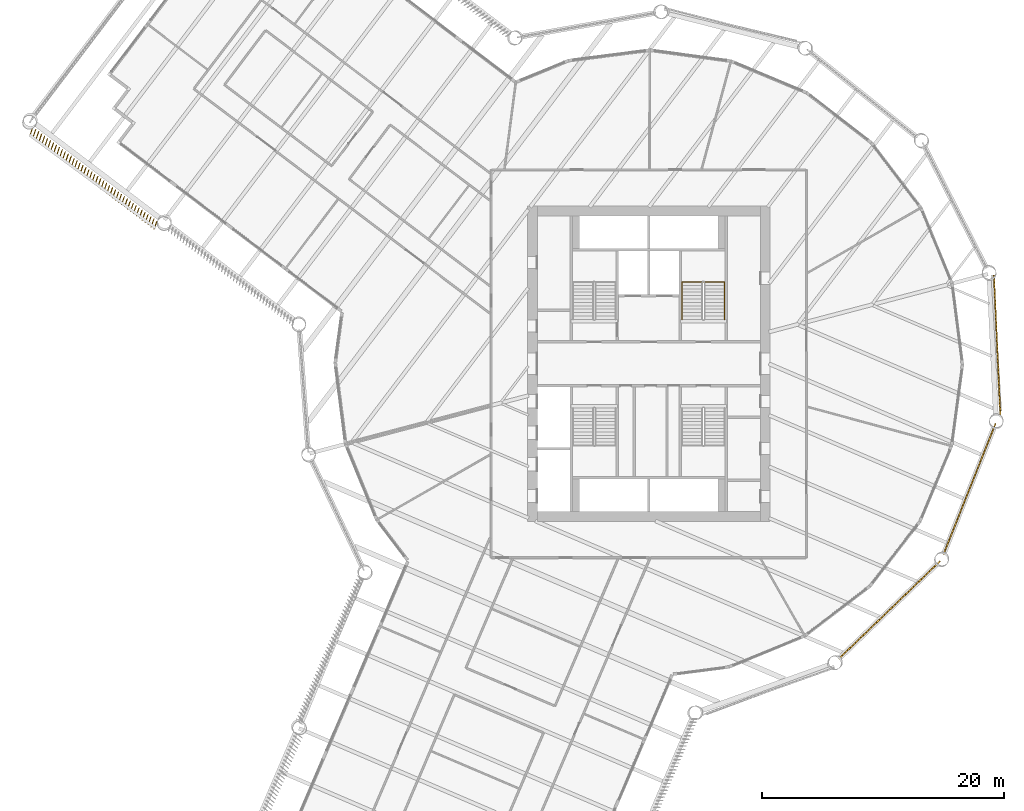
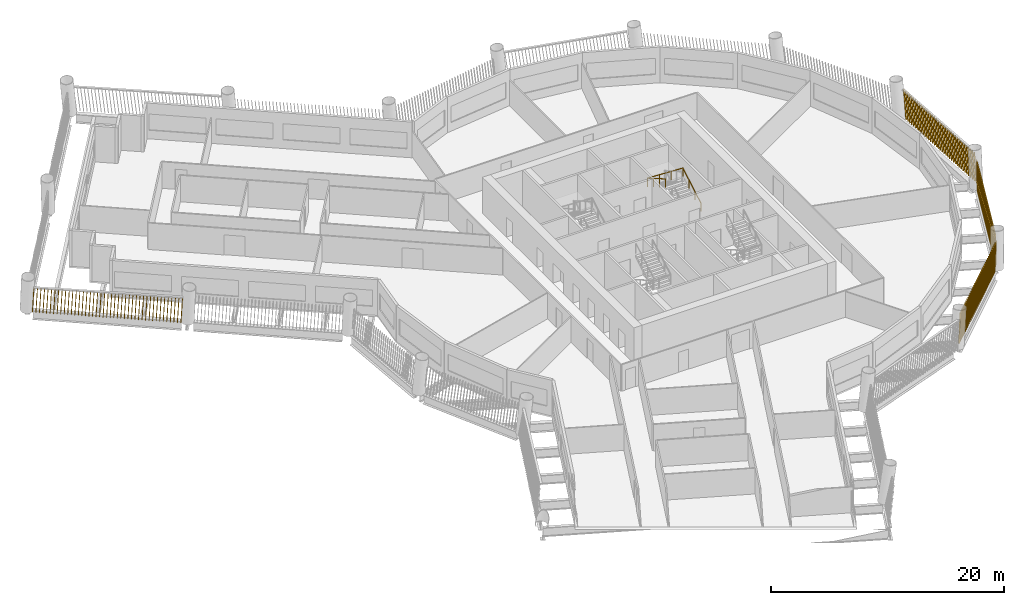
# One storey, part 13 of 16: 4 shading devices, 1 railing.
"""IFC4 building model written with IfcOpenShell, lengths in metres."""

from ifc_helpers import new_model, si_unit, direction, frame, frame_2d, origin, origin_2d, place, context, subcontext, project, spatial, rectangle, circle, composite_profile, extrude, material, type_object, element, save


model = new_model("IFC4")

# Units and contexts
model_context = context("Model", 3, precision=1e-05, world=origin(), true_north=direction((0.0, 1.0)))
body_context = subcontext(model_context, "Body", "Model", "MODEL_VIEW")
ifc_project = project(units=[si_unit("LENGTHUNIT", "METRE"), si_unit("AREAUNIT", "SQUARE_METRE"), si_unit("VOLUMEUNIT", "CUBIC_METRE"), si_unit("PLANEANGLEUNIT", "RADIAN"), si_unit("MASSUNIT", "GRAM", prefix="KILO")], contexts=[model_context])

# Site, building, storey
site_placement = place(None, origin())
site = spatial("IfcSite", under=ifc_project, at=site_placement, CompositionType="ELEMENT")
building_placement = place(site_placement, origin())
building = spatial("IfcBuilding", under=site, at=building_placement, Name="Tarsis Ring Headquarters", CompositionType="ELEMENT")
storey_placement = place(building_placement, frame((0.0, 0.0, 120.10009765625)))
storey = spatial("IfcBuildingStorey", under=building, at=storey_placement, Name="L27", CompositionType="ELEMENT", Elevation=120.10009765625)

# Railing
ifc_material_1 = material(Name="Steel S355", Category="steel")
railing_type = type_object("IfcRailingType", Name="Core stair handrail 900", PredefinedType="HANDRAIL", material=ifc_material_1)
railing_placement = place(storey_placement, frame((6.25, 3.659912109375, 0.162353515625)))
element("IfcRailing", 1, at=railing_placement, inside=storey, type_object=railing_type, Name="L27 ST2 stair handrail 1", PredefinedType="HANDRAIL", context=body_context, shape_type="SweptSolid", body=[
    extrude(circle(Radius=0.02392578125, at=origin_2d()), frame((0.0, 0.0, 0.8759765625), z_axis=(0.0, 0.864890721111, 0.501960198159), x_axis=(-1.0, 0.0, 0.0)), (0.0, 0.0, 1.0), 3.561279296875),
    extrude(circle(Radius=0.02392578125, at=origin_2d()), frame((0.0, 3.080078125, 2.66357421875), z_axis=(-0.998925869279, 0.0, 0.04633689335), x_axis=(0.0, -1.0, 0.0)), (0.0, 0.0, 1.0), 3.503662109375),
    extrude(circle(Radius=0.02392578125, at=origin_2d()), frame((-3.5, 3.080078125, 2.82568359375), z_axis=(0.0, -0.864890721111, 0.501960198159), x_axis=(1.0, 0.0, 0.0)), (0.0, 0.0, 1.0), 3.561279296875),
    extrude(circle(Radius=0.02099609375, at=origin_2d()), origin(), (0.0, 0.0, 1.0), 0.851806640625),
    extrude(circle(Radius=0.02099609375, at=origin_2d()), frame((0.0, 1.026611328125, 0.595947265625)), (0.0, 0.0, 1.0), 0.851806640625),
    extrude(circle(Radius=0.02099609375, at=origin_2d()), frame((0.0, 2.053466796875, 1.191650390625)), (0.0, 0.0, 1.0), 0.851806640625),
    extrude(circle(Radius=0.02099609375, at=origin_2d()), frame((0.0, 3.080078125, 1.78759765625)), (0.0, 0.0, 1.0), 0.851806640625),
    extrude(circle(Radius=0.02099609375, at=origin_2d()), frame((-1.166748046875, 3.080078125, 1.841796875)), (0.0, 0.0, 1.0), 0.851806640625),
    extrude(circle(Radius=0.02099609375, at=origin_2d()), frame((-2.333251953125, 3.080078125, 1.895751953125)), (0.0, 0.0, 1.0), 0.851806640625),
    extrude(circle(Radius=0.02099609375, at=origin_2d()), frame((-3.5, 3.080078125, 1.949951171875)), (0.0, 0.0, 1.0), 0.851806640625),
    extrude(circle(Radius=0.02099609375, at=origin_2d()), frame((-3.5, 2.053466796875, 2.5458984375)), (0.0, 0.0, 1.0), 0.851806640625),
    extrude(circle(Radius=0.02099609375, at=origin_2d()), frame((-3.5, 1.026611328125, 3.1416015625)), (0.0, 0.0, 1.0), 0.851806640625),
    extrude(circle(Radius=0.02099609375, at=origin_2d()), frame((-3.5, 0.0, 3.737548828125)), (0.0, 0.0, 1.0), 0.851806640625),
])

# Shading devices
ifc_material_2 = material(Name="Terracotta baguette", Category="masonry")
shading_device_type = type_object("IfcShadingDeviceType", Name="Terracotta baguette screen", PredefinedType="USERDEFINED", material=ifc_material_2)
shading_device_1_placement = place(storey_placement, frame((15.6640625, -24.343017578125, 0.0), z_axis=(0.0, 0.0, 1.0), x_axis=(0.719767340915, 0.694200885494, 0.0)))
element("IfcShadingDevice", 2, at=shading_device_1_placement, inside=storey, type_object=shading_device_type, Name="Baguette screen L27-08", ObjectType="Terracotta baguette screen", PredefinedType="USERDEFINED", context=body_context, shape_type="SweptSolid", body=[
    extrude(composite_profile([rectangle(XDim=0.06005859375, YDim=0.1201171875, at=frame_2d((0.030029296875, 0.0))), rectangle(XDim=0.06005859375, YDim=0.1201171875, at=frame_2d((0.33251953125, 0.0))), rectangle(XDim=0.06005859375, YDim=0.1201171875, at=frame_2d((0.634765625, 0.0))), rectangle(XDim=0.06005859375, YDim=0.1201171875, at=frame_2d((0.937255859375, 0.0))), rectangle(XDim=0.06005859375, YDim=0.1201171875, at=frame_2d((1.239501953125, 0.0))), rectangle(XDim=0.06005859375, YDim=0.1201171875, at=frame_2d((1.5419921875, 0.0))), rectangle(XDim=0.06005859375, YDim=0.1201171875, at=frame_2d((1.844482421875, 0.0))), rectangle(XDim=0.06005859375, YDim=0.1201171875, at=frame_2d((2.146728515625, 0.0))), rectangle(XDim=0.06005859375, YDim=0.1201171875, at=frame_2d((2.44921875, 0.0))), rectangle(XDim=0.06005859375, YDim=0.1201171875, at=frame_2d((2.751708984375, 0.0))), rectangle(XDim=0.06005859375, YDim=0.1201171875, at=frame_2d((3.053955078125, 0.0))), rectangle(XDim=0.06005859375, YDim=0.1201171875, at=frame_2d((3.3564453125, 0.0))), rectangle(XDim=0.06005859375, YDim=0.1201171875, at=frame_2d((3.65869140625, 0.0))), rectangle(XDim=0.06005859375, YDim=0.1201171875, at=frame_2d((3.961181640625, 0.0))), rectangle(XDim=0.06005859375, YDim=0.1201171875, at=frame_2d((4.263671875, 0.0))), rectangle(XDim=0.06005859375, YDim=0.1201171875, at=frame_2d((4.56591796875, 0.0))), rectangle(XDim=0.06005859375, YDim=0.1201171875, at=frame_2d((4.868408203125, 0.0))), rectangle(XDim=0.06005859375, YDim=0.1201171875, at=frame_2d((5.1708984375, 0.0))), rectangle(XDim=0.06005859375, YDim=0.1201171875, at=frame_2d((5.47314453125, 0.0))), rectangle(XDim=0.06005859375, YDim=0.1201171875, at=frame_2d((5.775634765625, 0.0))), rectangle(XDim=0.06005859375, YDim=0.1201171875, at=frame_2d((6.077880859375, 0.0))), rectangle(XDim=0.06005859375, YDim=0.1201171875, at=frame_2d((6.38037109375, 0.0))), rectangle(XDim=0.06005859375, YDim=0.1201171875, at=frame_2d((6.682861328125, 0.0))), rectangle(XDim=0.06005859375, YDim=0.1201171875, at=frame_2d((6.985107421875, 0.0))), rectangle(XDim=0.06005859375, YDim=0.1201171875, at=frame_2d((7.28759765625, 0.0))), rectangle(XDim=0.06005859375, YDim=0.1201171875, at=frame_2d((7.590087890625, 0.0))), rectangle(XDim=0.06005859375, YDim=0.1201171875, at=frame_2d((7.892333984375, 0.0))), rectangle(XDim=0.06005859375, YDim=0.1201171875, at=frame_2d((8.19482421875, 0.0))), rectangle(XDim=0.06005859375, YDim=0.1201171875, at=frame_2d((8.4970703125, 0.0))), rectangle(XDim=0.06005859375, YDim=0.1201171875, at=frame_2d((8.799560546875, 0.0))), rectangle(XDim=0.06005859375, YDim=0.1201171875, at=frame_2d((9.10205078125, 0.0))), rectangle(XDim=0.06005859375, YDim=0.1201171875, at=frame_2d((9.404296875, 0.0))), rectangle(XDim=0.06005859375, YDim=0.1201171875, at=frame_2d((9.706787109375, 0.0))), rectangle(XDim=0.06005859375, YDim=0.1201171875, at=frame_2d((10.00927734375, 0.0))), rectangle(XDim=0.06005859375, YDim=0.1201171875, at=frame_2d((10.3115234375, 0.0))), rectangle(XDim=0.06005859375, YDim=0.1201171875, at=frame_2d((10.614013671875, 0.0))), rectangle(XDim=0.06005859375, YDim=0.1201171875, at=frame_2d((10.916259765625, 0.0))), rectangle(XDim=0.06005859375, YDim=0.1201171875, at=frame_2d((11.21875, 0.0)))]), origin(), (0.1298193216, 0.000882806319, 0.991537273325), 2.9775390625),
])
shading_device_2_placement = place(storey_placement, frame((24.305419921875, -15.722412109375, 0.0), z_axis=(0.0, 0.0, 1.0), x_axis=(0.36963646229, 0.929180683668, 0.0)))
element("IfcShadingDevice", 3, at=shading_device_2_placement, inside=storey, type_object=shading_device_type, Name="Baguette screen L27-09", ObjectType="Terracotta baguette screen", PredefinedType="USERDEFINED", context=body_context, shape_type="SweptSolid", body=[
    extrude(composite_profile([rectangle(XDim=0.06005859375, YDim=0.1201171875, at=frame_2d((0.030029296875, 0.0))), rectangle(XDim=0.06005859375, YDim=0.1201171875, at=frame_2d((0.33251953125, 0.0))), rectangle(XDim=0.06005859375, YDim=0.1201171875, at=frame_2d((0.634765625, 0.0))), rectangle(XDim=0.06005859375, YDim=0.1201171875, at=frame_2d((0.937255859375, 0.0))), rectangle(XDim=0.06005859375, YDim=0.1201171875, at=frame_2d((1.239501953125, 0.0))), rectangle(XDim=0.06005859375, YDim=0.1201171875, at=frame_2d((1.5419921875, 0.0))), rectangle(XDim=0.06005859375, YDim=0.1201171875, at=frame_2d((1.844482421875, 0.0))), rectangle(XDim=0.06005859375, YDim=0.1201171875, at=frame_2d((2.146728515625, 0.0))), rectangle(XDim=0.06005859375, YDim=0.1201171875, at=frame_2d((2.44921875, 0.0))), rectangle(XDim=0.06005859375, YDim=0.1201171875, at=frame_2d((2.751708984375, 0.0))), rectangle(XDim=0.06005859375, YDim=0.1201171875, at=frame_2d((3.053955078125, 0.0))), rectangle(XDim=0.06005859375, YDim=0.1201171875, at=frame_2d((3.3564453125, 0.0))), rectangle(XDim=0.06005859375, YDim=0.1201171875, at=frame_2d((3.65869140625, 0.0))), rectangle(XDim=0.06005859375, YDim=0.1201171875, at=frame_2d((3.961181640625, 0.0))), rectangle(XDim=0.06005859375, YDim=0.1201171875, at=frame_2d((4.263671875, 0.0))), rectangle(XDim=0.06005859375, YDim=0.1201171875, at=frame_2d((4.56591796875, 0.0))), rectangle(XDim=0.06005859375, YDim=0.1201171875, at=frame_2d((4.868408203125, 0.0))), rectangle(XDim=0.06005859375, YDim=0.1201171875, at=frame_2d((5.1708984375, 0.0))), rectangle(XDim=0.06005859375, YDim=0.1201171875, at=frame_2d((5.47314453125, 0.0))), rectangle(XDim=0.06005859375, YDim=0.1201171875, at=frame_2d((5.775634765625, 0.0))), rectangle(XDim=0.06005859375, YDim=0.1201171875, at=frame_2d((6.077880859375, 0.0))), rectangle(XDim=0.06005859375, YDim=0.1201171875, at=frame_2d((6.38037109375, 0.0))), rectangle(XDim=0.06005859375, YDim=0.1201171875, at=frame_2d((6.682861328125, 0.0))), rectangle(XDim=0.06005859375, YDim=0.1201171875, at=frame_2d((6.985107421875, 0.0))), rectangle(XDim=0.06005859375, YDim=0.1201171875, at=frame_2d((7.28759765625, 0.0))), rectangle(XDim=0.06005859375, YDim=0.1201171875, at=frame_2d((7.590087890625, 0.0))), rectangle(XDim=0.06005859375, YDim=0.1201171875, at=frame_2d((7.892333984375, 0.0))), rectangle(XDim=0.06005859375, YDim=0.1201171875, at=frame_2d((8.19482421875, 0.0))), rectangle(XDim=0.06005859375, YDim=0.1201171875, at=frame_2d((8.4970703125, 0.0))), rectangle(XDim=0.06005859375, YDim=0.1201171875, at=frame_2d((8.799560546875, 0.0))), rectangle(XDim=0.06005859375, YDim=0.1201171875, at=frame_2d((9.10205078125, 0.0))), rectangle(XDim=0.06005859375, YDim=0.1201171875, at=frame_2d((9.404296875, 0.0))), rectangle(XDim=0.06005859375, YDim=0.1201171875, at=frame_2d((9.706787109375, 0.0))), rectangle(XDim=0.06005859375, YDim=0.1201171875, at=frame_2d((10.00927734375, 0.0))), rectangle(XDim=0.06005859375, YDim=0.1201171875, at=frame_2d((10.3115234375, 0.0))), rectangle(XDim=0.06005859375, YDim=0.1201171875, at=frame_2d((10.614013671875, 0.0))), rectangle(XDim=0.06005859375, YDim=0.1201171875, at=frame_2d((10.916259765625, 0.0))), rectangle(XDim=0.06005859375, YDim=0.1201171875, at=frame_2d((11.21875, 0.0)))]), origin(), (0.129821180745, 0.000882102169, 0.991537030537), 2.9775390625),
])
shading_device_3_placement = place(storey_placement, frame((28.999755859375, -4.288818359375, 0.0), z_axis=(0.0, 0.0, 1.0), x_axis=(-0.046207270754, 0.998936516549, 0.0)))
element("IfcShadingDevice", 4, at=shading_device_3_placement, inside=storey, type_object=shading_device_type, Name="Baguette screen L27-10", ObjectType="Terracotta baguette screen", PredefinedType="USERDEFINED", context=body_context, shape_type="SweptSolid", body=[
    extrude(composite_profile([rectangle(XDim=0.06005859375, YDim=0.1201171875, at=frame_2d((0.030029296875, 0.0))), rectangle(XDim=0.06005859375, YDim=0.1201171875, at=frame_2d((0.33251953125, 0.0))), rectangle(XDim=0.06005859375, YDim=0.1201171875, at=frame_2d((0.634765625, 0.0))), rectangle(XDim=0.06005859375, YDim=0.1201171875, at=frame_2d((0.937255859375, 0.0))), rectangle(XDim=0.06005859375, YDim=0.1201171875, at=frame_2d((1.239501953125, 0.0))), rectangle(XDim=0.06005859375, YDim=0.1201171875, at=frame_2d((1.5419921875, 0.0))), rectangle(XDim=0.06005859375, YDim=0.1201171875, at=frame_2d((1.844482421875, 0.0))), rectangle(XDim=0.06005859375, YDim=0.1201171875, at=frame_2d((2.146728515625, 0.0))), rectangle(XDim=0.06005859375, YDim=0.1201171875, at=frame_2d((2.44921875, 0.0))), rectangle(XDim=0.06005859375, YDim=0.1201171875, at=frame_2d((2.751708984375, 0.0))), rectangle(XDim=0.06005859375, YDim=0.1201171875, at=frame_2d((3.053955078125, 0.0))), rectangle(XDim=0.06005859375, YDim=0.1201171875, at=frame_2d((3.3564453125, 0.0))), rectangle(XDim=0.06005859375, YDim=0.1201171875, at=frame_2d((3.65869140625, 0.0))), rectangle(XDim=0.06005859375, YDim=0.1201171875, at=frame_2d((3.961181640625, 0.0))), rectangle(XDim=0.06005859375, YDim=0.1201171875, at=frame_2d((4.263671875, 0.0))), rectangle(XDim=0.06005859375, YDim=0.1201171875, at=frame_2d((4.56591796875, 0.0))), rectangle(XDim=0.06005859375, YDim=0.1201171875, at=frame_2d((4.868408203125, 0.0))), rectangle(XDim=0.06005859375, YDim=0.1201171875, at=frame_2d((5.1708984375, 0.0))), rectangle(XDim=0.06005859375, YDim=0.1201171875, at=frame_2d((5.47314453125, 0.0))), rectangle(XDim=0.06005859375, YDim=0.1201171875, at=frame_2d((5.775634765625, 0.0))), rectangle(XDim=0.06005859375, YDim=0.1201171875, at=frame_2d((6.077880859375, 0.0))), rectangle(XDim=0.06005859375, YDim=0.1201171875, at=frame_2d((6.38037109375, 0.0))), rectangle(XDim=0.06005859375, YDim=0.1201171875, at=frame_2d((6.682861328125, 0.0))), rectangle(XDim=0.06005859375, YDim=0.1201171875, at=frame_2d((6.985107421875, 0.0))), rectangle(XDim=0.06005859375, YDim=0.1201171875, at=frame_2d((7.28759765625, 0.0))), rectangle(XDim=0.06005859375, YDim=0.1201171875, at=frame_2d((7.590087890625, 0.0))), rectangle(XDim=0.06005859375, YDim=0.1201171875, at=frame_2d((7.892333984375, 0.0))), rectangle(XDim=0.06005859375, YDim=0.1201171875, at=frame_2d((8.19482421875, 0.0))), rectangle(XDim=0.06005859375, YDim=0.1201171875, at=frame_2d((8.4970703125, 0.0))), rectangle(XDim=0.06005859375, YDim=0.1201171875, at=frame_2d((8.799560546875, 0.0))), rectangle(XDim=0.06005859375, YDim=0.1201171875, at=frame_2d((9.10205078125, 0.0))), rectangle(XDim=0.06005859375, YDim=0.1201171875, at=frame_2d((9.404296875, 0.0))), rectangle(XDim=0.06005859375, YDim=0.1201171875, at=frame_2d((9.706787109375, 0.0))), rectangle(XDim=0.06005859375, YDim=0.1201171875, at=frame_2d((10.00927734375, 0.0))), rectangle(XDim=0.06005859375, YDim=0.1201171875, at=frame_2d((10.3115234375, 0.0))), rectangle(XDim=0.06005859375, YDim=0.1201171875, at=frame_2d((10.614013671875, 0.0))), rectangle(XDim=0.06005859375, YDim=0.1201171875, at=frame_2d((10.916259765625, 0.0))), rectangle(XDim=0.06005859375, YDim=0.1201171875, at=frame_2d((11.21875, 0.0)))]), origin(), (0.13150618092, 0.000895998655, 0.991314945699), 2.978271484375),
])
shading_device_4_placement = place(storey_placement, frame((-50.840087890625, 19.515380859375, 0.0), z_axis=(0.0, 0.0, 1.0), x_axis=(0.796737814108, -0.604318044202, 0.0)))
element("IfcShadingDevice", 5, at=shading_device_4_placement, inside=storey, type_object=shading_device_type, Name="Baguette screen L27-19", ObjectType="Terracotta baguette screen", PredefinedType="USERDEFINED", context=body_context, shape_type="SweptSolid", body=[
    extrude(composite_profile([rectangle(XDim=0.06005859375, YDim=0.1201171875, at=frame_2d((0.030029296875, 0.0))), rectangle(XDim=0.06005859375, YDim=0.1201171875, at=frame_2d((0.335693359375, 0.0))), rectangle(XDim=0.06005859375, YDim=0.1201171875, at=frame_2d((0.6416015625, 0.0))), rectangle(XDim=0.06005859375, YDim=0.1201171875, at=frame_2d((0.947265625, 0.0))), rectangle(XDim=0.06005859375, YDim=0.1201171875, at=frame_2d((1.253173828125, 0.0))), rectangle(XDim=0.06005859375, YDim=0.1201171875, at=frame_2d((1.558837890625, 0.0))), rectangle(XDim=0.06005859375, YDim=0.1201171875, at=frame_2d((1.864501953125, 0.0))), rectangle(XDim=0.06005859375, YDim=0.1201171875, at=frame_2d((2.17041015625, 0.0))), rectangle(XDim=0.06005859375, YDim=0.1201171875, at=frame_2d((2.47607421875, 0.0))), rectangle(XDim=0.06005859375, YDim=0.1201171875, at=frame_2d((2.781982421875, 0.0))), rectangle(XDim=0.06005859375, YDim=0.1201171875, at=frame_2d((3.087646484375, 0.0))), rectangle(XDim=0.06005859375, YDim=0.1201171875, at=frame_2d((3.393310546875, 0.0))), rectangle(XDim=0.06005859375, YDim=0.1201171875, at=frame_2d((3.69921875, 0.0))), rectangle(XDim=0.06005859375, YDim=0.1201171875, at=frame_2d((4.0048828125, 0.0))), rectangle(XDim=0.06005859375, YDim=0.1201171875, at=frame_2d((4.310791015625, 0.0))), rectangle(XDim=0.06005859375, YDim=0.1201171875, at=frame_2d((4.616455078125, 0.0))), rectangle(XDim=0.06005859375, YDim=0.1201171875, at=frame_2d((4.922119140625, 0.0))), rectangle(XDim=0.06005859375, YDim=0.1201171875, at=frame_2d((5.22802734375, 0.0))), rectangle(XDim=0.06005859375, YDim=0.1201171875, at=frame_2d((5.53369140625, 0.0))), rectangle(XDim=0.06005859375, YDim=0.1201171875, at=frame_2d((5.839599609375, 0.0))), rectangle(XDim=0.06005859375, YDim=0.1201171875, at=frame_2d((6.145263671875, 0.0))), rectangle(XDim=0.06005859375, YDim=0.1201171875, at=frame_2d((6.451171875, 0.0))), rectangle(XDim=0.06005859375, YDim=0.1201171875, at=frame_2d((6.7568359375, 0.0))), rectangle(XDim=0.06005859375, YDim=0.1201171875, at=frame_2d((7.0625, 0.0))), rectangle(XDim=0.06005859375, YDim=0.1201171875, at=frame_2d((7.368408203125, 0.0))), rectangle(XDim=0.06005859375, YDim=0.1201171875, at=frame_2d((7.674072265625, 0.0))), rectangle(XDim=0.06005859375, YDim=0.1201171875, at=frame_2d((7.97998046875, 0.0))), rectangle(XDim=0.06005859375, YDim=0.1201171875, at=frame_2d((8.28564453125, 0.0))), rectangle(XDim=0.06005859375, YDim=0.1201171875, at=frame_2d((8.59130859375, 0.0))), rectangle(XDim=0.06005859375, YDim=0.1201171875, at=frame_2d((8.897216796875, 0.0))), rectangle(XDim=0.06005859375, YDim=0.1201171875, at=frame_2d((9.202880859375, 0.0))), rectangle(XDim=0.06005859375, YDim=0.1201171875, at=frame_2d((9.5087890625, 0.0))), rectangle(XDim=0.06005859375, YDim=0.1201171875, at=frame_2d((9.814453125, 0.0))), rectangle(XDim=0.06005859375, YDim=0.1201171875, at=frame_2d((10.1201171875, 0.0))), rectangle(XDim=0.06005859375, YDim=0.1201171875, at=frame_2d((10.426025390625, 0.0))), rectangle(XDim=0.06005859375, YDim=0.1201171875, at=frame_2d((10.731689453125, 0.0))), rectangle(XDim=0.06005859375, YDim=0.1201171875, at=frame_2d((11.03759765625, 0.0))), rectangle(XDim=0.06005859375, YDim=0.1201171875, at=frame_2d((11.34326171875, 0.0))), rectangle(XDim=0.06005859375, YDim=0.1201171875, at=frame_2d((11.64892578125, 0.0))), rectangle(XDim=0.06005859375, YDim=0.1201171875, at=frame_2d((11.954833984375, 0.0))), rectangle(XDim=0.06005859375, YDim=0.1201171875, at=frame_2d((12.260498046875, 0.0))), rectangle(XDim=0.06005859375, YDim=0.1201171875, at=frame_2d((12.56640625, 0.0))), rectangle(XDim=0.06005859375, YDim=0.1201171875, at=frame_2d((12.8720703125, 0.0)))]), origin(), (0.069701521567, -0.205883613217, 0.976090997653), 3.024658203125),
])

save(model, "model.ifc")
